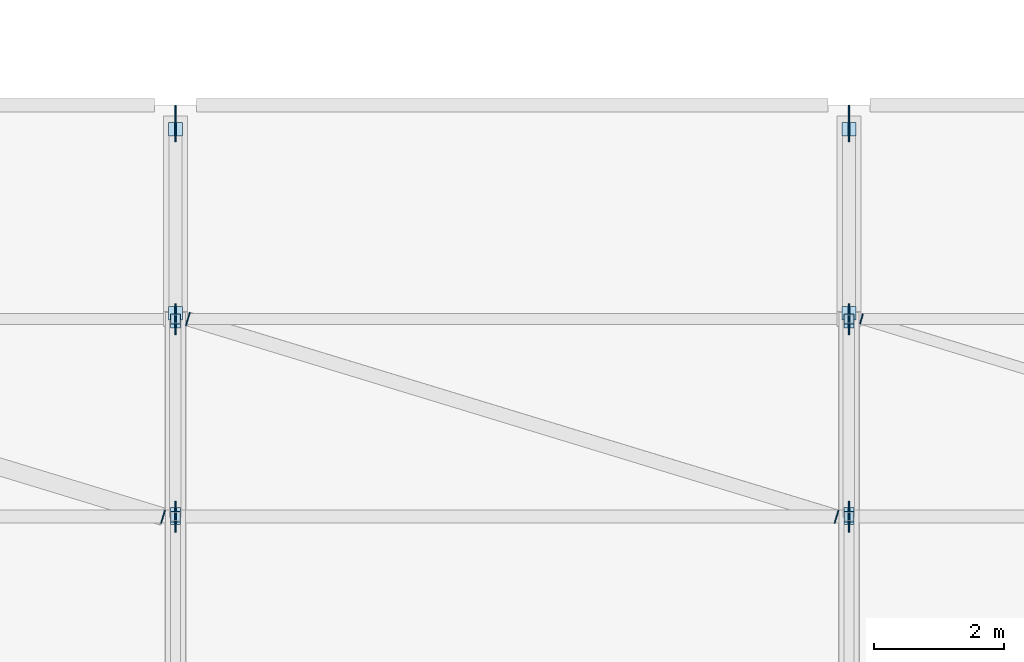
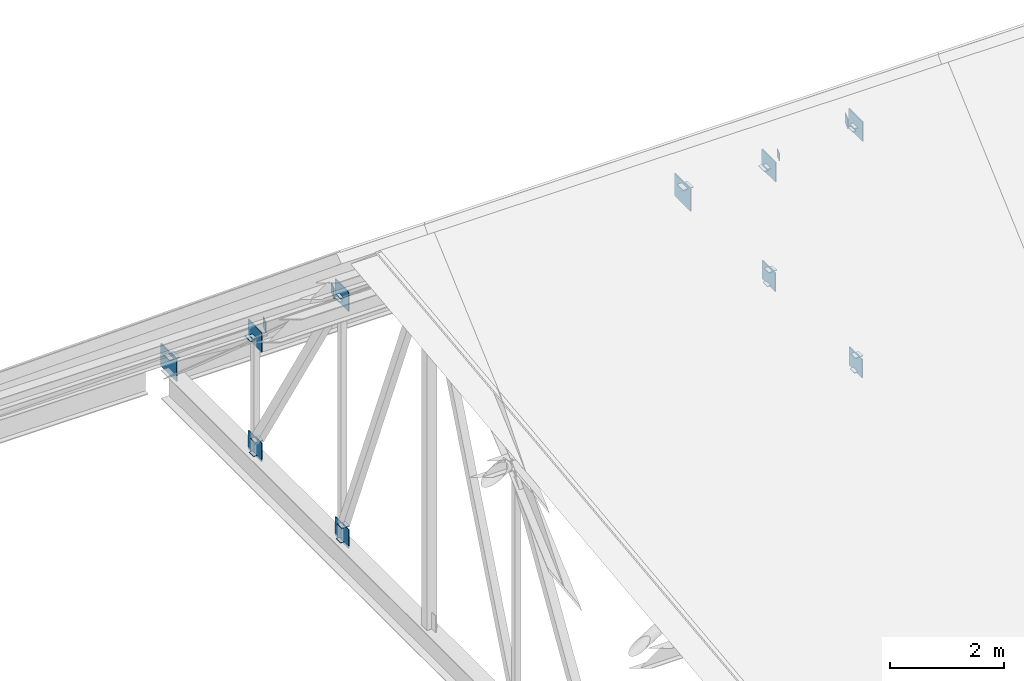
# One storey, part 53 of 86: 32 plates.
"""IFC4 building model written with IfcOpenShell, lengths in metres."""

from ifc_helpers import new_model, si_unit, derived_unit, direction, frame, origin, origin_2d, place, context, subcontext, project, spatial, rectangle, extrude, material, layer, layer_set, type_object, element, save


model = new_model("IFC4")

# Units and contexts
model_context = context("Model", 3, precision=1e-05, world=origin(), true_north=direction((0.0, 1.0)))
body_context = subcontext(model_context, "Body", "Model", "MODEL_VIEW")
ifc_project = project(units=[si_unit("LENGTHUNIT", "METRE"), si_unit("AREAUNIT", "SQUARE_METRE"), si_unit("VOLUMEUNIT", "CUBIC_METRE"), si_unit("PLANEANGLEUNIT", "RADIAN"), si_unit("MASSUNIT", "GRAM", prefix="KILO"), derived_unit("THERMALTRANSMITTANCEUNIT", [(si_unit("POWERUNIT", "WATT"), 1), (si_unit("LENGTHUNIT", "METRE"), -2), (si_unit("THERMODYNAMICTEMPERATUREUNIT", "KELVIN"), -1)])], contexts=[model_context])

# Site, building, storey
site_placement = place(None, origin())
site = spatial("IfcSite", under=ifc_project, at=site_placement, CompositionType="ELEMENT")
building_placement = place(site_placement, origin())
building = spatial("IfcBuilding", under=site, at=building_placement, Name="Braskholm Square Health Centre", CompositionType="ELEMENT")
storey_placement = place(building_placement, frame((0.0, 0.0, 13.5)))
storey = spatial("IfcBuildingStorey", under=building, at=storey_placement, Name="L04", CompositionType="ELEMENT", Elevation=13.5)

# Plates
ifc_material = material(Name="Steel ASTM A572 Grade 50", Category="steel")
ifc_layer_1 = layer(ifc_material, 0.01611328125)
ifc_layer_set_1 = layer_set([ifc_layer_1], Name="Steel ASTM A572 Grade 50")
plate_type_1 = type_object("IfcPlateType", Name="CapPlateHSS152TN8", PredefinedType="USERDEFINED", material=ifc_layer_set_1)
for number, where, z_axis, x_axis, name in (
    (1, (89.199951171875, 100.64990234375, -0.2861328125), (0.0, 0.0, 1.0), (1.0, 0.0, 0.0), "Hollow section end cap plate 0143"),
    (2, (89.199951171875, 100.64990234375, 4.941162109375), (0.0, 0.0, 1.0), (1.0, 0.0, 0.0), "Hollow section end cap plate 0144"),
    (3, (89.199951171875, 103.699951171875, -0.2861328125), (0.0, 0.0, 1.0), (1.0, 0.0, 0.0), "Hollow section end cap plate 0145"),
    (4, (89.199951171875, 103.699951171875, 2.221923828125), (0.0, 0.0, 1.0), (1.0, 0.0, 0.0), "Hollow section end cap plate 0146"),
    (5, (89.199951171875, 100.60791015625, 0.055908203125), (0.0, 0.0, 1.0), (1.0, 0.0, 0.0), "Hollow section end cap plate 0153"),
    (6, (89.199951171875, 103.64111328125, 0.046875), (0.0, 0.0, 1.0), (1.0, 0.0, 0.0), "Hollow section end cap plate 0155"),
    (7, (89.199951171875, 100.708984375, 4.837890625), (0.0, 0.0, 1.0), (1.0, 0.0, 0.0), "Hollow section end cap plate 0156"),
    (8, (99.60009765625, 100.64990234375, -0.2861328125), (0.0, 0.0, 1.0), (1.0, 0.0, 0.0), "Hollow section end cap plate 0177"),
    (9, (99.60009765625, 100.64990234375, 4.941162109375), (0.0, 0.0, 1.0), (1.0, 0.0, 0.0), "Hollow section end cap plate 0178"),
    (10, (99.60009765625, 103.699951171875, -0.2861328125), (0.0, 0.0, 1.0), (1.0, 0.0, 0.0), "Hollow section end cap plate 0179"),
    (11, (99.60009765625, 103.699951171875, 2.221923828125), (0.0, 0.0, 1.0), (1.0, 0.0, 0.0), "Hollow section end cap plate 0180"),
    (12, (99.60009765625, 100.60791015625, 0.055908203125), (0.0, 0.0, 1.0), (1.0, 0.0, 0.0), "Hollow section end cap plate 0187"),
    (13, (99.60009765625, 103.64111328125, 0.046875), (0.0, 0.0, 1.0), (1.0, 0.0, 0.0), "Hollow section end cap plate 0189"),
    (14, (99.60009765625, 100.708984375, 4.837890625), (0.0, 0.0, 1.0), (1.0, 0.0, 0.0), "Hollow section end cap plate 0190"),
):
    element("IfcPlate", number, at=place(storey_placement, frame(where, z_axis=z_axis, x_axis=x_axis)), inside=storey, type_object=plate_type_1, Name=name, ObjectType="CAP_PLATE", PredefinedType="USERDEFINED", context=body_context, shape_type="SweptSolid", body=[
        extrude(rectangle(XDim=0.159912109375, YDim=0.159912109375, at=origin_2d()), origin(), (0.0, 0.0, 1.0), 0.01611328125),
    ])
plate_placement = place(storey_placement, frame((99.7919921875, 103.701904296875, 2.322265625), z_axis=(0.0, 0.0, 1.0), x_axis=(0.956498453883, -0.291737395134, 0.0)))
element("IfcPlate", 15, at=plate_placement, inside=storey, type_object=plate_type_1, Name="Hollow section end cap plate 0315", ObjectType="CAP_PLATE", PredefinedType="USERDEFINED", context=body_context, shape_type="SweptSolid", body=[
    extrude(rectangle(XDim=0.01611328125, YDim=0.159912109375, at=origin_2d()), origin(), (0.0, 0.0, 1.0), 0.159912109375),
])
ifc_layer_2 = layer(ifc_material, 0.01611328125)
ifc_layer_set_2 = layer_set([ifc_layer_2], Name="Steel ASTM A572 Grade 50")
plate_type_2 = type_object("IfcPlateType", Name="CapPlateHSS203TN6", PredefinedType="USERDEFINED", material=ifc_layer_set_2)
for number, where, z_axis, x_axis, name in (
    (16, (89.199951171875, 106.6298828125, 0.01904296875), (0.0, 0.0, 1.0), (1.0, 0.0, 0.0), "Hollow section end cap plate 0157"),
    (17, (89.199951171875, 103.7900390625, 2.14697265625), (0.0, 0.0, 1.0), (1.0, 0.0, 0.0), "Hollow section end cap plate 0158"),
    (18, (99.60009765625, 106.6298828125, 0.01904296875), (0.0, 0.0, 1.0), (1.0, 0.0, 0.0), "Hollow section end cap plate 0191"),
    (19, (99.60009765625, 103.7900390625, 2.14697265625), (0.0, 0.0, 1.0), (1.0, 0.0, 0.0), "Hollow section end cap plate 0192"),
):
    element("IfcPlate", number, at=place(storey_placement, frame(where, z_axis=z_axis, x_axis=x_axis)), inside=storey, type_object=plate_type_2, Name=name, ObjectType="CAP_PLATE", PredefinedType="USERDEFINED", context=body_context, shape_type="SweptSolid", body=[
        extrude(rectangle(XDim=0.2099609375, YDim=0.2099609375, at=origin_2d()), origin(), (0.0, 0.0, 1.0), 0.01611328125),
    ])
for number, where, z_axis, x_axis, name in (
    (20, (89.008056640625, 100.64794921875, 5.01611328125), (0.0, 0.0, 1.0), (0.956498453883, -0.291737395134, 0.0), "Hollow section end cap plate 0300"),
    (21, (89.39208984375, 103.701904296875, 2.297119140625), (0.0, 0.0, 1.0), (0.956498453883, -0.291737395134, 0.0), "Hollow section end cap plate 0307"),
    (22, (99.407958984375, 100.64794921875, 5.01611328125), (0.0, 0.0, 1.0), (0.956498453883, -0.291737395134, 0.0), "Hollow section end cap plate 0308"),
):
    element("IfcPlate", number, at=place(storey_placement, frame(where, z_axis=z_axis, x_axis=x_axis)), inside=storey, type_object=plate_type_2, Name=name, ObjectType="CAP_PLATE", PredefinedType="USERDEFINED", context=body_context, shape_type="SweptSolid", body=[
        extrude(rectangle(XDim=0.01611328125, YDim=0.2099609375, at=origin_2d()), origin(), (0.0, 0.0, 1.0), 0.2099609375),
    ])
ifc_layer_3 = layer(ifc_material, 0.02001953125)
ifc_layer_set_3 = layer_set([ifc_layer_3], Name="Steel ASTM A572 Grade 50")
plate_type_3 = type_object("IfcPlateType", Name="NodeGussetBottomPanelTN3", PredefinedType="USERDEFINED", material=ifc_layer_set_3)
for number, where, z_axis, x_axis, name in (
    (23, (89.199951171875, 100.64990234375, -0.320068359375), (0.0, 0.0, 1.0), (1.0, 0.0, 0.0), "Truss node gusset plate 0165"),
    (24, (89.199951171875, 103.699951171875, -0.320068359375), (0.0, 0.0, 1.0), (1.0, 0.0, 0.0), "Truss node gusset plate 0166"),
    (25, (99.60009765625, 100.64990234375, -0.320068359375), (0.0, 0.0, 1.0), (1.0, 0.0, 0.0), "Truss node gusset plate 0199"),
    (26, (99.60009765625, 103.699951171875, -0.320068359375), (0.0, 0.0, 1.0), (1.0, 0.0, 0.0), "Truss node gusset plate 0200"),
):
    element("IfcPlate", number, at=place(storey_placement, frame(where, z_axis=z_axis, x_axis=x_axis)), inside=storey, type_object=plate_type_3, Name=name, ObjectType="GUSSET_PLATE", PredefinedType="USERDEFINED", context=body_context, shape_type="SweptSolid", body=[
        extrude(rectangle(XDim=0.02001953125, YDim=0.4599609375, at=origin_2d()), origin(), (0.0, 0.0, 1.0), 0.39990234375),
    ])
ifc_layer_4 = layer(ifc_material, 0.02392578125)
ifc_layer_set_4 = layer_set([ifc_layer_4], Name="Steel ASTM A572 Grade 50")
plate_type_4 = type_object("IfcPlateType", Name="NodeGussetHeelTN1", PredefinedType="USERDEFINED", material=ifc_layer_set_4)
for number, where, z_axis, x_axis, name in (
    (27, (89.199951171875, 106.719970703125, -0.39990234375), (0.0, 0.0, 1.0), (1.0, 0.0, 0.0), "Truss node gusset plate 0160"),
    (28, (99.60009765625, 106.719970703125, -0.39990234375), (0.0, 0.0, 1.0), (1.0, 0.0, 0.0), "Truss node gusset plate 0194"),
):
    element("IfcPlate", number, at=place(storey_placement, frame(where, z_axis=z_axis, x_axis=x_axis)), inside=storey, type_object=plate_type_4, Name=name, ObjectType="GUSSET_PLATE", PredefinedType="USERDEFINED", context=body_context, shape_type="SweptSolid", body=[
        extrude(rectangle(XDim=0.02392578125, YDim=0.56005859375, at=origin_2d()), origin(), (0.0, 0.0, 1.0), 0.47998046875),
    ])
ifc_layer_5 = layer(ifc_material, 0.02197265625)
ifc_layer_set_5 = layer_set([ifc_layer_5], Name="Steel ASTM A572 Grade 50")
plate_type_5 = type_object("IfcPlateType", Name="NodeGussetTopPanelTN4", PredefinedType="USERDEFINED", material=ifc_layer_set_5)
for number, where, z_axis, x_axis, name in (
    (29, (89.199951171875, 100.64990234375, 4.7509765625), (0.0, 0.0, 1.0), (1.0, 0.0, 0.0), "Truss node gusset plate 0169"),
    (30, (89.199951171875, 103.699951171875, 2.031982421875), (0.0, 0.0, 1.0), (1.0, 0.0, 0.0), "Truss node gusset plate 0170"),
    (31, (99.60009765625, 100.64990234375, 4.7509765625), (0.0, 0.0, 1.0), (1.0, 0.0, 0.0), "Truss node gusset plate 0203"),
    (32, (99.60009765625, 103.699951171875, 2.031982421875), (0.0, 0.0, 1.0), (1.0, 0.0, 0.0), "Truss node gusset plate 0204"),
):
    element("IfcPlate", number, at=place(storey_placement, frame(where, z_axis=z_axis, x_axis=x_axis)), inside=storey, type_object=plate_type_5, Name=name, ObjectType="GUSSET_PLATE", PredefinedType="USERDEFINED", context=body_context, shape_type="SweptSolid", body=[
        extrude(rectangle(XDim=0.02197265625, YDim=0.47998046875, at=origin_2d()), origin(), (0.0, 0.0, 1.0), 0.419921875),
    ])

save(model, "model.ifc")
